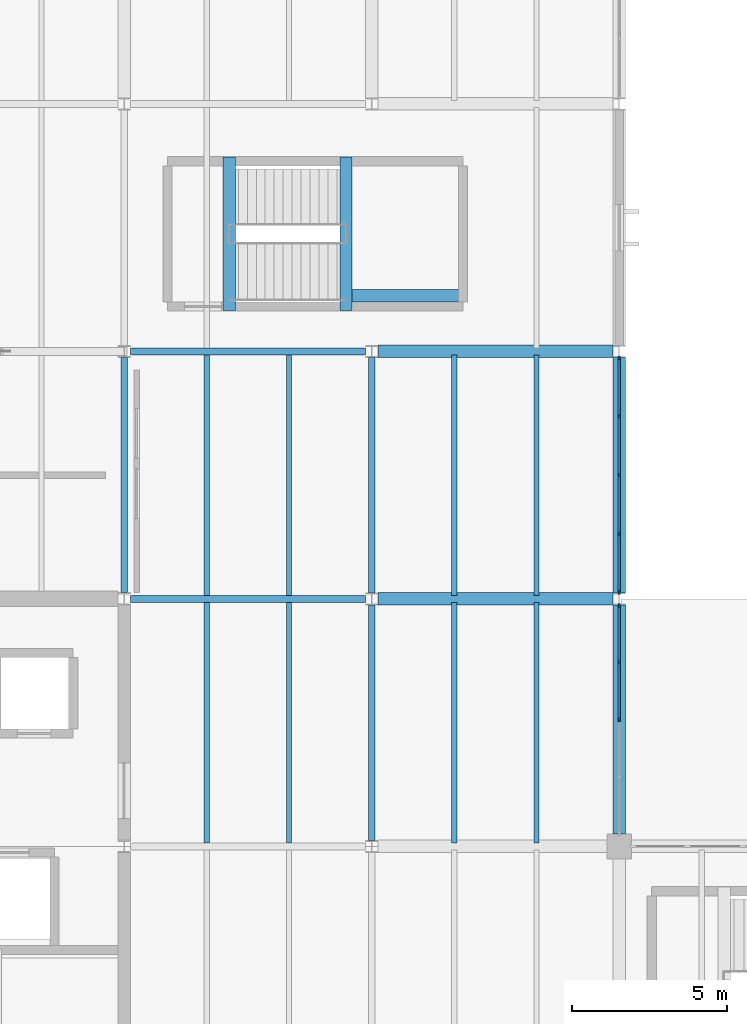
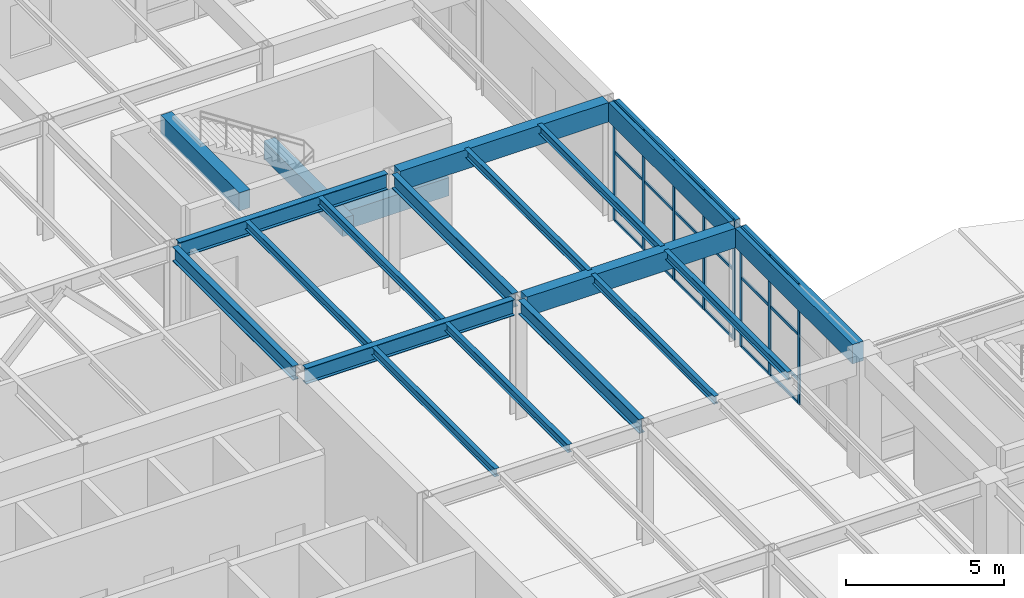
# One storey, part 18 of 60: 32 members, 20 beams, 2 elements without a shape of their own.
"""IFC4 building model written with IfcOpenShell, lengths in metres."""

from ifc_helpers import new_model, si_unit, direction, frame, origin, origin_2d, place, context, subcontext, project, spatial, rectangle, i_section, extrude, material, layer, layer_set, material_profile, profile_set, type_object, element, aggregate, save


model = new_model("IFC4")

# Units and contexts
model_context = context("Model", 3, precision=1e-05, world=origin(), true_north=direction((0.0, 1.0)))
body_context = subcontext(model_context, "Body", "Model", "MODEL_VIEW")
ifc_project = project(units=[si_unit("LENGTHUNIT", "METRE"), si_unit("AREAUNIT", "SQUARE_METRE"), si_unit("VOLUMEUNIT", "CUBIC_METRE"), si_unit("PLANEANGLEUNIT", "RADIAN"), si_unit("MASSUNIT", "GRAM", prefix="KILO")], contexts=[model_context])

# Site, building, storey
site_placement = place(None, origin())
site = spatial("IfcSite", under=ifc_project, at=site_placement, CompositionType="ELEMENT")
building_placement = place(site_placement, origin())
building = spatial("IfcBuilding", under=site, at=building_placement, Name="Varnela Railside Interchange", CompositionType="ELEMENT")
storey_placement = place(building_placement, frame((0.0, 0.0, 6.300048828125)))
storey = spatial("IfcBuildingStorey", under=building, at=storey_placement, Name="L01", CompositionType="ELEMENT", Elevation=6.300048828125)

# Beams
ifc_material_1 = material(Name="Steel AR 350 (350 MPa)", Category="steel")
ifc_material_profile_1 = material_profile(ifc_material_1, i_section(OverallWidth=0.1650390625, OverallDepth=0.31005859375, WebThickness=0.005859375, FlangeThickness=0.009765625, at=origin_2d()), Name="W310x38.7")
ifc_profile_set_1 = profile_set([ifc_material_profile_1], Name="Steel AR 350 (350 MPa)")
beam_type_1 = type_object("IfcBeamType", Name="Composite Floor Joist J-04", PredefinedType="JOIST", material=ifc_profile_set_1)
for number, where, z_axis, x_axis, name in (
    (1, (38.669921875, 62.114501953125, 4.445068359375), (0.0, 1.0, 0.0), (-1.0, 0.0, 0.0), "Composite Floor Joist J-04 (L01) (BM-1574)"),
    (2, (41.330078125, 62.114501953125, 4.445068359375), (0.0, 1.0, 0.0), (-1.0, 0.0, 0.0), "Composite Floor Joist J-04 (L01) (BM-1575)"),
    (3, (38.669921875, 70.114501953125, 4.445068359375), (0.0, 1.0, 0.0), (-1.0, 0.0, 0.0), "Composite Floor Joist J-04 (L01) (BM-1576)"),
    (4, (41.330078125, 70.114501953125, 4.445068359375), (0.0, 1.0, 0.0), (-1.0, 0.0, 0.0), "Composite Floor Joist J-04 (L01) (BM-1577)"),
    (5, (46.669921875, 62.114501953125, 4.445068359375), (0.0, 1.0, 0.0), (-1.0, 0.0, 0.0), "Composite Floor Joist J-04 (L01) (BM-1587)"),
    (6, (49.330078125, 62.114501953125, 4.445068359375), (0.0, 1.0, 0.0), (-1.0, 0.0, 0.0), "Composite Floor Joist J-04 (L01) (BM-1588)"),
    (7, (46.669921875, 70.114501953125, 4.445068359375), (0.0, 1.0, 0.0), (-1.0, 0.0, 0.0), "Composite Floor Joist J-04 (L01) (BM-1589)"),
    (8, (49.330078125, 70.114501953125, 4.445068359375), (0.0, 1.0, 0.0), (-1.0, 0.0, 0.0), "Composite Floor Joist J-04 (L01) (BM-1590)"),
):
    element("IfcBeam", number, at=place(storey_placement, frame(where, z_axis=z_axis, x_axis=x_axis)), inside=storey, type_object=beam_type_1, Name=name, PredefinedType="JOIST", context=body_context, shape_type="SweptSolid", body=[
        extrude(i_section(OverallWidth=0.1650390625, OverallDepth=0.31005859375, WebThickness=0.005859375, FlangeThickness=0.009765625, at=origin_2d()), origin(), (0.0, 0.0, 1.0), 7.77099609375),
    ])
ifc_material_profile_2 = material_profile(ifc_material_1, i_section(OverallWidth=0.2119140625, OverallDepth=0.5439453125, WebThickness=0.01318359375, FlangeThickness=0.021240234375, at=origin_2d()), Name="W530x123")
ifc_profile_set_2 = profile_set([ifc_material_profile_2], Name="Steel AR 350 (350 MPa)")
beam_type_2 = type_object("IfcBeamType", Name="Composite Heavy Girder B-16", PredefinedType="BEAM", material=ifc_profile_set_2)
beam_1_placement = place(storey_placement, frame((36.0, 70.199462890625, 4.327880859375), z_axis=(0.0, 1.0, 0.0), x_axis=(-1.0, 0.0, 0.0)))
element("IfcBeam", 9, at=beam_1_placement, inside=storey, type_object=beam_type_2, Name="Composite Heavy Girder B-16 (L01) (BM-1767)", PredefinedType="BEAM", context=body_context, shape_type="SweptSolid", body=[
    extrude(i_section(OverallWidth=0.2119140625, OverallDepth=0.5439453125, WebThickness=0.01318359375, FlangeThickness=0.021240234375, at=origin_2d()), origin(), (0.0, 0.0, 1.0), 7.60693359375),
])
for number, where, z_axis, x_axis, name in (
    (10, (44.0, 62.193603515625, 4.327880859375), (0.0, 1.0, 0.0), (-1.0, 0.0, 0.0), "Composite Heavy Girder B-16 (L01) (BM-1773)"),
    (11, (44.0, 70.193603515625, 4.327880859375), (0.0, 1.0, 0.0), (-1.0, 0.0, 0.0), "Composite Heavy Girder B-16 (L01) (BM-1774)"),
):
    element("IfcBeam", number, at=place(storey_placement, frame(where, z_axis=z_axis, x_axis=x_axis)), inside=storey, type_object=beam_type_2, Name=name, PredefinedType="BEAM", context=body_context, shape_type="SweptSolid", body=[
        extrude(i_section(OverallWidth=0.2119140625, OverallDepth=0.5439453125, WebThickness=0.01318359375, FlangeThickness=0.021240234375, at=origin_2d()), origin(), (0.0, 0.0, 1.0), 7.61279296875),
    ])
ifc_material_2 = material(Name="Concrete C40", Category="concrete")
ifc_material_profile_3 = material_profile(ifc_material_2, rectangle(XDim=0.39990234375, YDim=0.699951171875, at=origin_2d()), Name="RC 400x700")
ifc_profile_set_3 = profile_set([ifc_material_profile_3], Name="Concrete C40")
beam_type_3 = type_object("IfcBeamType", Name="Concrete Tie Beam B-01", PredefinedType="BEAM", material=ifc_profile_set_3)
for number, where, z_axis, x_axis, name in (
    (12, (39.39990234375, 79.320068359375, 4.25), (0.0, 1.0, 0.0), (-1.0, 0.0, 0.0), "Concrete Tie Beam B-01 (L01) (BM-1824)"),
    (13, (43.169921875, 79.320068359375, 1.93994140625), (0.0, 1.0, 0.0), (-1.0, 0.0, 0.0), "Concrete Tie Beam B-01 (L01) (BM-1813)"),
):
    element("IfcBeam", number, at=place(storey_placement, frame(where, z_axis=z_axis, x_axis=x_axis)), inside=storey, type_object=beam_type_3, Name=name, PredefinedType="BEAM", context=body_context, shape_type="SweptSolid", body=[
        extrude(rectangle(XDim=0.39990234375, YDim=0.699951171875, at=origin_2d()), origin(), (0.0, 0.0, 1.0), 4.9599609375),
    ])
beam_2_placement = place(storey_placement, frame((43.3701171875, 79.800048828125, 1.93994140625), z_axis=(1.0, 0.0, 0.0), x_axis=(0.0, 1.0, 0.0)))
element("IfcBeam", 14, at=beam_2_placement, inside=storey, type_object=beam_type_3, Name="Concrete Tie Beam B-01 (L01) (BM-1802)", PredefinedType="BEAM", context=body_context, shape_type="SweptSolid", body=[
    extrude(rectangle(XDim=0.39990234375, YDim=0.699951171875, at=origin_2d()), origin(), (0.0, 0.0, 1.0), 3.64990234375),
])

# Curtain wall, members
ifc_material_3 = material(Name="Aluminium 6063-T6", Category="aluminium")
ifc_layer = layer(ifc_material_3, 0.035888671875)
ifc_layer_set = layer_set([ifc_layer], Name="Aluminium 6063-T6")
curtain_wall_type = type_object("IfcCurtainWallType", Name="Operations Wing Facade Curtain Wall CW-03", PredefinedType="USERDEFINED", material=ifc_layer_set)
curtain_wall_1_placement = place(storey_placement, origin())
curtain_wall_1 = element("IfcCurtainWall", 15, at=curtain_wall_1_placement, inside=storey, type_object=curtain_wall_type, Name="Curtain Wall CW-03 (L01) (CW-024)", ObjectType="CURTAIN WALL", PredefinedType="USERDEFINED")
ifc_material_profile_4 = material_profile(ifc_material_3, rectangle(XDim=0.06005859375, YDim=0.139892578125, at=origin_2d()), Name="ALU 60x140")
ifc_profile_set_4 = profile_set([ifc_material_profile_4], Name="Aluminium 6063-T6")
member_type_1 = type_object("IfcMemberType", Name="Curtain Wall Mullion ML-01", PredefinedType="MULLION", material=ifc_profile_set_4)
member_1_placement = place(storey_placement, frame((52.0, 77.776611328125, 0.0), z_axis=(0.0, 0.0, 1.0), x_axis=(1.0, 0.0, 0.0)))
member_1 = element("IfcMember", 16, at=member_1_placement, type_object=member_type_1, Name="CW-03 mullion 1", PredefinedType="MULLION", context=body_context, shape_type="SweptSolid", body=[
    extrude(rectangle(XDim=0.06005859375, YDim=0.139892578125, at=origin_2d()), origin(), (0.0, 0.0, 1.0), 4.599853515625),
])
member_2_placement = place(storey_placement, frame((52.0, 75.9033203125, 0.0), z_axis=(0.0, 0.0, 1.0), x_axis=(1.0, 0.0, 0.0)))
member_2 = element("IfcMember", 17, at=member_2_placement, type_object=member_type_1, Name="CW-03 mullion 2", PredefinedType="MULLION", context=body_context, shape_type="SweptSolid", body=[
    extrude(rectangle(XDim=0.06005859375, YDim=0.139892578125, at=origin_2d()), origin(), (0.0, 0.0, 1.0), 4.599853515625),
])
member_3_placement = place(storey_placement, frame((52.0, 74.0, 0.0), z_axis=(0.0, 0.0, 1.0), x_axis=(1.0, 0.0, 0.0)))
member_3 = element("IfcMember", 18, at=member_3_placement, type_object=member_type_1, Name="CW-03 mullion 3", PredefinedType="MULLION", context=body_context, shape_type="SweptSolid", body=[
    extrude(rectangle(XDim=0.06005859375, YDim=0.139892578125, at=origin_2d()), origin(), (0.0, 0.0, 1.0), 4.599853515625),
])
member_4_placement = place(storey_placement, frame((52.0, 72.0966796875, 0.0), z_axis=(0.0, 0.0, 1.0), x_axis=(1.0, 0.0, 0.0)))
member_4 = element("IfcMember", 19, at=member_4_placement, type_object=member_type_1, Name="CW-03 mullion 4", PredefinedType="MULLION", context=body_context, shape_type="SweptSolid", body=[
    extrude(rectangle(XDim=0.06005859375, YDim=0.139892578125, at=origin_2d()), origin(), (0.0, 0.0, 1.0), 4.599853515625),
])
member_5_placement = place(storey_placement, frame((52.0, 70.223388671875, 0.0), z_axis=(0.0, 0.0, 1.0), x_axis=(1.0, 0.0, 0.0)))
member_5 = element("IfcMember", 20, at=member_5_placement, type_object=member_type_1, Name="CW-03 mullion 5", PredefinedType="MULLION", context=body_context, shape_type="SweptSolid", body=[
    extrude(rectangle(XDim=0.06005859375, YDim=0.139892578125, at=origin_2d()), origin(), (0.0, 0.0, 1.0), 4.599853515625),
])

curtain_wall_2_placement = place(storey_placement, origin())
curtain_wall_2 = element("IfcCurtainWall", 21, at=curtain_wall_2_placement, inside=storey, type_object=curtain_wall_type, Name="Curtain Wall CW-03 (L01) (CW-025)", ObjectType="CURTAIN WALL", PredefinedType="USERDEFINED")
member_6_placement = place(storey_placement, frame((52.0, 69.776611328125, 0.0), z_axis=(0.0, 0.0, 1.0), x_axis=(1.0, 0.0, 0.0)))
member_6 = element("IfcMember", 22, at=member_6_placement, type_object=member_type_1, Name="CW-03 mullion 1", PredefinedType="MULLION", context=body_context, shape_type="SweptSolid", body=[
    extrude(rectangle(XDim=0.06005859375, YDim=0.139892578125, at=origin_2d()), origin(), (0.0, 0.0, 1.0), 4.599853515625),
])
member_7_placement = place(storey_placement, frame((52.0, 67.954833984375, 0.0), z_axis=(0.0, 0.0, 1.0), x_axis=(1.0, 0.0, 0.0)))
member_7 = element("IfcMember", 23, at=member_7_placement, type_object=member_type_1, Name="CW-03 mullion 2", PredefinedType="MULLION", context=body_context, shape_type="SweptSolid", body=[
    extrude(rectangle(XDim=0.06005859375, YDim=0.139892578125, at=origin_2d()), origin(), (0.0, 0.0, 1.0), 4.599853515625),
])
member_8_placement = place(storey_placement, frame((52.0, 66.103271484375, 0.0), z_axis=(0.0, 0.0, 1.0), x_axis=(1.0, 0.0, 0.0)))
member_8 = element("IfcMember", 24, at=member_8_placement, type_object=member_type_1, Name="CW-03 mullion 3", PredefinedType="MULLION", context=body_context, shape_type="SweptSolid", body=[
    extrude(rectangle(XDim=0.06005859375, YDim=0.139892578125, at=origin_2d()), origin(), (0.0, 0.0, 1.0), 4.599853515625),
])

# Member
ifc_material_profile_5 = material_profile(ifc_material_3, rectangle(XDim=0.06005859375, YDim=0.110107421875, at=origin_2d()), Name="ALU 60x110")
ifc_profile_set_5 = profile_set([ifc_material_profile_5], Name="Aluminium 6063-T6")
member_type_2 = type_object("IfcMemberType", Name="Curtain Wall Transom TR-01", PredefinedType="USERDEFINED", material=ifc_profile_set_5)
member_9_placement = place(storey_placement, frame((52.0, 77.74658203125, 0.030029296875), z_axis=(0.0, -1.0, 0.0), x_axis=(1.0, 0.0, 0.0)))
member_9 = element("IfcMember", 25, at=member_9_placement, type_object=member_type_2, Name="CW-03 transom 1.1", ObjectType="TRANSOM", PredefinedType="USERDEFINED", context=body_context, shape_type="SweptSolid", body=[
    extrude(rectangle(XDim=0.06005859375, YDim=0.110107421875, at=origin_2d()), origin(), (0.0, 0.0, 1.0), 1.813232421875),
])

member_10_placement = place(storey_placement, frame((52.0, 77.74658203125, 0.89990234375), z_axis=(0.0, -1.0, 0.0), x_axis=(1.0, 0.0, 0.0)))
member_10 = element("IfcMember", 26, at=member_10_placement, type_object=member_type_2, Name="CW-03 transom 1.2", ObjectType="TRANSOM", PredefinedType="USERDEFINED", context=body_context, shape_type="SweptSolid", body=[
    extrude(rectangle(XDim=0.06005859375, YDim=0.110107421875, at=origin_2d()), origin(), (0.0, 0.0, 1.0), 1.813232421875),
])

member_11_placement = place(storey_placement, frame((52.0, 77.74658203125, 2.66796875), z_axis=(0.0, -1.0, 0.0), x_axis=(1.0, 0.0, 0.0)))
member_11 = element("IfcMember", 27, at=member_11_placement, type_object=member_type_2, Name="CW-03 transom 1.3", ObjectType="TRANSOM", PredefinedType="USERDEFINED", context=body_context, shape_type="SweptSolid", body=[
    extrude(rectangle(XDim=0.06005859375, YDim=0.110107421875, at=origin_2d()), origin(), (0.0, 0.0, 1.0), 1.813232421875),
])

member_12_placement = place(storey_placement, frame((52.0, 77.74658203125, 4.570068359375), z_axis=(0.0, -1.0, 0.0), x_axis=(1.0, 0.0, 0.0)))
member_12 = element("IfcMember", 28, at=member_12_placement, type_object=member_type_2, Name="CW-03 transom 1.4", ObjectType="TRANSOM", PredefinedType="USERDEFINED", context=body_context, shape_type="SweptSolid", body=[
    extrude(rectangle(XDim=0.06005859375, YDim=0.110107421875, at=origin_2d()), origin(), (0.0, 0.0, 1.0), 1.813232421875),
])

member_13_placement = place(storey_placement, frame((52.0, 75.873291015625, 0.030029296875), z_axis=(0.0, -1.0, 0.0), x_axis=(1.0, 0.0, 0.0)))
member_13 = element("IfcMember", 29, at=member_13_placement, type_object=member_type_2, Name="CW-03 transom 2.1", ObjectType="TRANSOM", PredefinedType="USERDEFINED", context=body_context, shape_type="SweptSolid", body=[
    extrude(rectangle(XDim=0.06005859375, YDim=0.110107421875, at=origin_2d()), origin(), (0.0, 0.0, 1.0), 1.84326171875),
])

member_14_placement = place(storey_placement, frame((52.0, 75.873291015625, 0.89990234375), z_axis=(0.0, -1.0, 0.0), x_axis=(1.0, 0.0, 0.0)))
member_14 = element("IfcMember", 30, at=member_14_placement, type_object=member_type_2, Name="CW-03 transom 2.2", ObjectType="TRANSOM", PredefinedType="USERDEFINED", context=body_context, shape_type="SweptSolid", body=[
    extrude(rectangle(XDim=0.06005859375, YDim=0.110107421875, at=origin_2d()), origin(), (0.0, 0.0, 1.0), 1.84326171875),
])

member_15_placement = place(storey_placement, frame((52.0, 75.873291015625, 2.66796875), z_axis=(0.0, -1.0, 0.0), x_axis=(1.0, 0.0, 0.0)))
member_15 = element("IfcMember", 31, at=member_15_placement, type_object=member_type_2, Name="CW-03 transom 2.3", ObjectType="TRANSOM", PredefinedType="USERDEFINED", context=body_context, shape_type="SweptSolid", body=[
    extrude(rectangle(XDim=0.06005859375, YDim=0.110107421875, at=origin_2d()), origin(), (0.0, 0.0, 1.0), 1.84326171875),
])

member_16_placement = place(storey_placement, frame((52.0, 75.873291015625, 4.570068359375), z_axis=(0.0, -1.0, 0.0), x_axis=(1.0, 0.0, 0.0)))
member_16 = element("IfcMember", 32, at=member_16_placement, type_object=member_type_2, Name="CW-03 transom 2.4", ObjectType="TRANSOM", PredefinedType="USERDEFINED", context=body_context, shape_type="SweptSolid", body=[
    extrude(rectangle(XDim=0.06005859375, YDim=0.110107421875, at=origin_2d()), origin(), (0.0, 0.0, 1.0), 1.84326171875),
])

member_17_placement = place(storey_placement, frame((52.0, 73.969970703125, 0.030029296875), z_axis=(0.0, -1.0, 0.0), x_axis=(1.0, 0.0, 0.0)))
member_17 = element("IfcMember", 33, at=member_17_placement, type_object=member_type_2, Name="CW-03 transom 3.1", ObjectType="TRANSOM", PredefinedType="USERDEFINED", context=body_context, shape_type="SweptSolid", body=[
    extrude(rectangle(XDim=0.06005859375, YDim=0.110107421875, at=origin_2d()), origin(), (0.0, 0.0, 1.0), 1.84326171875),
])

member_18_placement = place(storey_placement, frame((52.0, 73.969970703125, 0.89990234375), z_axis=(0.0, -1.0, 0.0), x_axis=(1.0, 0.0, 0.0)))
member_18 = element("IfcMember", 34, at=member_18_placement, type_object=member_type_2, Name="CW-03 transom 3.2", ObjectType="TRANSOM", PredefinedType="USERDEFINED", context=body_context, shape_type="SweptSolid", body=[
    extrude(rectangle(XDim=0.06005859375, YDim=0.110107421875, at=origin_2d()), origin(), (0.0, 0.0, 1.0), 1.84326171875),
])

member_19_placement = place(storey_placement, frame((52.0, 73.969970703125, 2.66796875), z_axis=(0.0, -1.0, 0.0), x_axis=(1.0, 0.0, 0.0)))
member_19 = element("IfcMember", 35, at=member_19_placement, type_object=member_type_2, Name="CW-03 transom 3.3", ObjectType="TRANSOM", PredefinedType="USERDEFINED", context=body_context, shape_type="SweptSolid", body=[
    extrude(rectangle(XDim=0.06005859375, YDim=0.110107421875, at=origin_2d()), origin(), (0.0, 0.0, 1.0), 1.84326171875),
])

member_20_placement = place(storey_placement, frame((52.0, 73.969970703125, 4.570068359375), z_axis=(0.0, -1.0, 0.0), x_axis=(1.0, 0.0, 0.0)))
member_20 = element("IfcMember", 36, at=member_20_placement, type_object=member_type_2, Name="CW-03 transom 3.4", ObjectType="TRANSOM", PredefinedType="USERDEFINED", context=body_context, shape_type="SweptSolid", body=[
    extrude(rectangle(XDim=0.06005859375, YDim=0.110107421875, at=origin_2d()), origin(), (0.0, 0.0, 1.0), 1.84326171875),
])

member_21_placement = place(storey_placement, frame((52.0, 72.066650390625, 0.030029296875), z_axis=(0.0, -1.0, 0.0), x_axis=(1.0, 0.0, 0.0)))
member_21 = element("IfcMember", 37, at=member_21_placement, type_object=member_type_2, Name="CW-03 transom 4.1", ObjectType="TRANSOM", PredefinedType="USERDEFINED", context=body_context, shape_type="SweptSolid", body=[
    extrude(rectangle(XDim=0.06005859375, YDim=0.110107421875, at=origin_2d()), origin(), (0.0, 0.0, 1.0), 1.813232421875),
])

member_22_placement = place(storey_placement, frame((52.0, 72.066650390625, 0.89990234375), z_axis=(0.0, -1.0, 0.0), x_axis=(1.0, 0.0, 0.0)))
member_22 = element("IfcMember", 38, at=member_22_placement, type_object=member_type_2, Name="CW-03 transom 4.2", ObjectType="TRANSOM", PredefinedType="USERDEFINED", context=body_context, shape_type="SweptSolid", body=[
    extrude(rectangle(XDim=0.06005859375, YDim=0.110107421875, at=origin_2d()), origin(), (0.0, 0.0, 1.0), 1.813232421875),
])

member_23_placement = place(storey_placement, frame((52.0, 72.066650390625, 2.66796875), z_axis=(0.0, -1.0, 0.0), x_axis=(1.0, 0.0, 0.0)))
member_23 = element("IfcMember", 39, at=member_23_placement, type_object=member_type_2, Name="CW-03 transom 4.3", ObjectType="TRANSOM", PredefinedType="USERDEFINED", context=body_context, shape_type="SweptSolid", body=[
    extrude(rectangle(XDim=0.06005859375, YDim=0.110107421875, at=origin_2d()), origin(), (0.0, 0.0, 1.0), 1.813232421875),
])

member_24_placement = place(storey_placement, frame((52.0, 72.066650390625, 4.570068359375), z_axis=(0.0, -1.0, 0.0), x_axis=(1.0, 0.0, 0.0)))
member_24 = element("IfcMember", 40, at=member_24_placement, type_object=member_type_2, Name="CW-03 transom 4.4", ObjectType="TRANSOM", PredefinedType="USERDEFINED", context=body_context, shape_type="SweptSolid", body=[
    extrude(rectangle(XDim=0.06005859375, YDim=0.110107421875, at=origin_2d()), origin(), (0.0, 0.0, 1.0), 1.813232421875),
])

aggregate(curtain_wall_1, [member_1, member_2, member_3, member_4, member_5, member_9, member_10, member_11, member_12, member_13, member_14, member_15, member_16, member_17, member_18, member_19, member_20, member_21, member_22, member_23, member_24])

member_25_placement = place(storey_placement, frame((52.0, 69.74658203125, 0.030029296875), z_axis=(0.0, -1.0, 0.0), x_axis=(1.0, 0.0, 0.0)))
member_25 = element("IfcMember", 41, at=member_25_placement, type_object=member_type_2, Name="CW-03 transom 1.1", ObjectType="TRANSOM", PredefinedType="USERDEFINED", context=body_context, shape_type="SweptSolid", body=[
    extrude(rectangle(XDim=0.06005859375, YDim=0.110107421875, at=origin_2d()), origin(), (0.0, 0.0, 1.0), 1.76171875),
])

member_26_placement = place(storey_placement, frame((52.0, 69.74658203125, 0.89990234375), z_axis=(0.0, -1.0, 0.0), x_axis=(1.0, 0.0, 0.0)))
member_26 = element("IfcMember", 42, at=member_26_placement, type_object=member_type_2, Name="CW-03 transom 1.2", ObjectType="TRANSOM", PredefinedType="USERDEFINED", context=body_context, shape_type="SweptSolid", body=[
    extrude(rectangle(XDim=0.06005859375, YDim=0.110107421875, at=origin_2d()), origin(), (0.0, 0.0, 1.0), 1.76171875),
])

member_27_placement = place(storey_placement, frame((52.0, 69.74658203125, 2.66796875), z_axis=(0.0, -1.0, 0.0), x_axis=(1.0, 0.0, 0.0)))
member_27 = element("IfcMember", 43, at=member_27_placement, type_object=member_type_2, Name="CW-03 transom 1.3", ObjectType="TRANSOM", PredefinedType="USERDEFINED", context=body_context, shape_type="SweptSolid", body=[
    extrude(rectangle(XDim=0.06005859375, YDim=0.110107421875, at=origin_2d()), origin(), (0.0, 0.0, 1.0), 1.76171875),
])

member_28_placement = place(storey_placement, frame((52.0, 69.74658203125, 4.570068359375), z_axis=(0.0, -1.0, 0.0), x_axis=(1.0, 0.0, 0.0)))
member_28 = element("IfcMember", 44, at=member_28_placement, type_object=member_type_2, Name="CW-03 transom 1.4", ObjectType="TRANSOM", PredefinedType="USERDEFINED", context=body_context, shape_type="SweptSolid", body=[
    extrude(rectangle(XDim=0.06005859375, YDim=0.110107421875, at=origin_2d()), origin(), (0.0, 0.0, 1.0), 1.76171875),
])

member_29_placement = place(storey_placement, frame((52.0, 67.9248046875, 0.030029296875), z_axis=(0.0, -1.0, 0.0), x_axis=(1.0, 0.0, 0.0)))
member_29 = element("IfcMember", 45, at=member_29_placement, type_object=member_type_2, Name="CW-03 transom 2.1", ObjectType="TRANSOM", PredefinedType="USERDEFINED", context=body_context, shape_type="SweptSolid", body=[
    extrude(rectangle(XDim=0.06005859375, YDim=0.110107421875, at=origin_2d()), origin(), (0.0, 0.0, 1.0), 1.79150390625),
])

member_30_placement = place(storey_placement, frame((52.0, 67.9248046875, 0.89990234375), z_axis=(0.0, -1.0, 0.0), x_axis=(1.0, 0.0, 0.0)))
member_30 = element("IfcMember", 46, at=member_30_placement, type_object=member_type_2, Name="CW-03 transom 2.2", ObjectType="TRANSOM", PredefinedType="USERDEFINED", context=body_context, shape_type="SweptSolid", body=[
    extrude(rectangle(XDim=0.06005859375, YDim=0.110107421875, at=origin_2d()), origin(), (0.0, 0.0, 1.0), 1.79150390625),
])

member_31_placement = place(storey_placement, frame((52.0, 67.9248046875, 2.66796875), z_axis=(0.0, -1.0, 0.0), x_axis=(1.0, 0.0, 0.0)))
member_31 = element("IfcMember", 47, at=member_31_placement, type_object=member_type_2, Name="CW-03 transom 2.3", ObjectType="TRANSOM", PredefinedType="USERDEFINED", context=body_context, shape_type="SweptSolid", body=[
    extrude(rectangle(XDim=0.06005859375, YDim=0.110107421875, at=origin_2d()), origin(), (0.0, 0.0, 1.0), 1.79150390625),
])

member_32_placement = place(storey_placement, frame((52.0, 67.9248046875, 4.570068359375), z_axis=(0.0, -1.0, 0.0), x_axis=(1.0, 0.0, 0.0)))
member_32 = element("IfcMember", 48, at=member_32_placement, type_object=member_type_2, Name="CW-03 transom 2.4", ObjectType="TRANSOM", PredefinedType="USERDEFINED", context=body_context, shape_type="SweptSolid", body=[
    extrude(rectangle(XDim=0.06005859375, YDim=0.110107421875, at=origin_2d()), origin(), (0.0, 0.0, 1.0), 1.79150390625),
])

aggregate(curtain_wall_2, [member_6, member_7, member_8, member_25, member_26, member_27, member_28, member_29, member_30, member_31, member_32])

# Beams
ifc_material_profile_6 = material_profile(ifc_material_1, i_section(OverallWidth=0.22900390625, OverallDepth=0.612060546875, WebThickness=0.011962890625, FlangeThickness=0.01953125, at=origin_2d()), Name="W610x125")
ifc_profile_set_6 = profile_set([ifc_material_profile_6], Name="Steel AR 350 (350 MPa)")
beam_type_4 = type_object("IfcBeamType", Name="Podium Composite Girder B-15", PredefinedType="BEAM", material=ifc_profile_set_6)
beam_3_placement = place(storey_placement, frame((36.200439453125, 70.0, 4.2939453125), z_axis=(1.0, 0.0, 0.0), x_axis=(0.0, 1.0, 0.0)))
element("IfcBeam", 49, at=beam_3_placement, inside=storey, type_object=beam_type_4, Name="Podium Composite Girder B-15 (L01) (BM-1672)", PredefinedType="BEAM", context=body_context, shape_type="SweptSolid", body=[
    extrude(i_section(OverallWidth=0.22900390625, OverallDepth=0.612060546875, WebThickness=0.011962890625, FlangeThickness=0.01953125, at=origin_2d()), origin(), (0.0, 0.0, 1.0), 7.6005859375),
])
beam_4_placement = place(storey_placement, frame((36.198974609375, 78.0, 4.2939453125), z_axis=(1.0, 0.0, 0.0), x_axis=(0.0, 1.0, 0.0)))
element("IfcBeam", 50, at=beam_4_placement, inside=storey, type_object=beam_type_4, Name="Podium Composite Girder B-15 (L01) (BM-1681)", PredefinedType="BEAM", context=body_context, shape_type="SweptSolid", body=[
    extrude(i_section(OverallWidth=0.22900390625, OverallDepth=0.612060546875, WebThickness=0.011962890625, FlangeThickness=0.01953125, at=origin_2d()), origin(), (0.0, 0.0, 1.0), 7.60205078125),
])
ifc_material_4 = material(Name="Concrete C40 precast", Category="concrete")
ifc_material_profile_7 = material_profile(ifc_material_4, rectangle(XDim=0.39990234375, YDim=0.75, at=origin_2d()), Name="PC 400x750")
ifc_profile_set_7 = profile_set([ifc_material_profile_7], Name="Concrete C40 precast")
beam_type_5 = type_object("IfcBeamType", Name="Precast Facade Spandrel SP-03", PredefinedType="SPANDREL", material=ifc_profile_set_7)
for number, where, z_axis, x_axis, name in (
    (51, (44.198974609375, 70.0, 4.224853515625), (1.0, 0.0, 0.0), (0.0, 1.0, 0.0), "Precast Facade Spandrel SP-03 (L01) (BM-1673)"),
    (52, (44.198974609375, 78.0, 4.224853515625), (1.0, 0.0, 0.0), (0.0, 1.0, 0.0), "Precast Facade Spandrel SP-03 (L01) (BM-1682)"),
):
    element("IfcBeam", number, at=place(storey_placement, frame(where, z_axis=z_axis, x_axis=x_axis)), inside=storey, type_object=beam_type_5, Name=name, PredefinedType="SPANDREL", context=body_context, shape_type="SweptSolid", body=[
        extrude(rectangle(XDim=0.39990234375, YDim=0.75, at=origin_2d()), origin(), (0.0, 0.0, 1.0), 7.60205078125),
    ])
beam_5_placement = place(storey_placement, frame((52.0, 62.39990234375, 4.224853515625), z_axis=(0.0, 1.0, 0.0), x_axis=(-1.0, 0.0, 0.0)))
element("IfcBeam", 53, at=beam_5_placement, inside=storey, type_object=beam_type_5, Name="Precast Facade Spandrel SP-03 (L01) (BM-1779)", PredefinedType="SPANDREL", context=body_context, shape_type="SweptSolid", body=[
    extrude(rectangle(XDim=0.39990234375, YDim=0.75, at=origin_2d()), origin(), (0.0, 0.0, 1.0), 7.406494140625),
])
beam_6_placement = place(storey_placement, frame((52.0, 70.193603515625, 4.224853515625), z_axis=(0.0, 1.0, 0.0), x_axis=(-1.0, 0.0, 0.0)))
element("IfcBeam", 54, at=beam_6_placement, inside=storey, type_object=beam_type_5, Name="Precast Facade Spandrel SP-03 (L01) (BM-1780)", PredefinedType="SPANDREL", context=body_context, shape_type="SweptSolid", body=[
    extrude(rectangle(XDim=0.39990234375, YDim=0.75, at=origin_2d()), origin(), (0.0, 0.0, 1.0), 7.61279296875),
])

save(model, "model.ifc")
